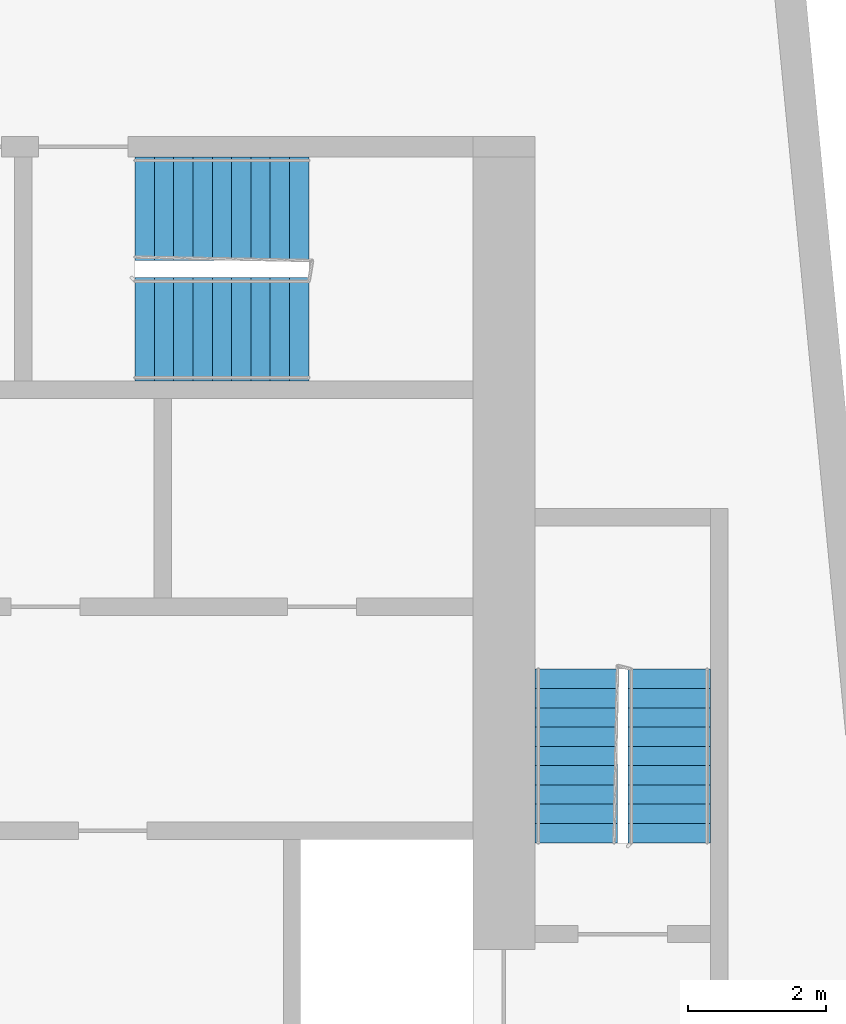
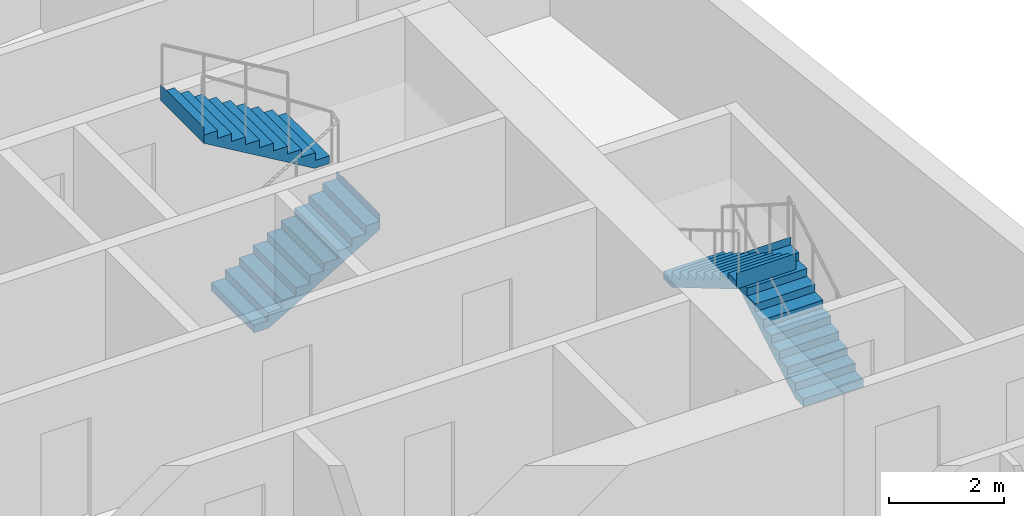
# One storey, part 10 of 11: 4 stair flights, 2 elements without a shape of their own.
"""IFC4 building model written with IfcOpenShell, lengths in metres."""

import ifcopenshell
import ifcopenshell.guid

model = None  # the IFC model being written
_history = None  # IfcOwnerHistory: only IFC2X3 demands one
_inside = {}  # id of a spatial element -> (the spatial element, [elements in it])
_under = {}  # id of a project, library or spatial element -> (it, [spatial elements below it])
_declared = {}  # id of a project -> (the project, [libraries it declares])
_typed = {}  # id of a type object -> (the type object, [elements of that type])
_made_of = {}  # id of a material, layer set ... -> (it, [elements and type objects made of it])


def new_model(schema):
    """Start an empty IFC model of exactly this schema.

    Asked for "IFC4X3", IfcOpenShell would pick the latest addendum, in which some entities
    have other attributes; the version numbers below select the first issue.
    IFC2X3 requires an IfcOwnerHistory on every rooted entity: one is made here for all.
    """
    global model, _history
    if schema == "IFC4X3":
        model = ifcopenshell.file(schema_version=(4, 3, 0, 0))
    else:
        model = ifcopenshell.file(schema=schema)
    _inside.clear()
    _under.clear()
    _declared.clear()
    _typed.clear()
    _made_of.clear()
    _history = None
    if model.schema == "IFC2X3":
        org = make("IfcOrganization", Name="unknown")
        user = make(
            "IfcPersonAndOrganization",
            ThePerson=make("IfcPerson", FamilyName="unknown"),
            TheOrganization=org,
        )
        app = make(
            "IfcApplication",
            ApplicationDeveloper=org,
            Version="unknown",
            ApplicationFullName="unknown",
            ApplicationIdentifier="unknown",
        )
        _history = make(
            "IfcOwnerHistory",
            OwningUser=user,
            OwningApplication=app,
            ChangeAction="ADDED",
            CreationDate=0,
        )
    return model


def make(cls, **values):
    """One entity of the class cls with the attributes given. An attribute that is None is left unset."""
    return model.create_entity(
        cls, **{name: value for name, value in values.items() if value is not None}
    )


def rooted(cls, **values):
    """An entity with a GlobalId (a new one), such as an element, a storey or a relation."""
    return make(cls, GlobalId=ifcopenshell.guid.new(), OwnerHistory=_history, **values)


def si_unit(unit_type, name, prefix=None):
    """IfcSIUnit, for example si_unit("LENGTHUNIT", "METRE", prefix="MILLI")."""
    return make("IfcSIUnit", UnitType=unit_type, Prefix=prefix, Name=name)


def assignment(units):
    """IfcUnitAssignment: the units of a project."""
    return None if units is None else make("IfcUnitAssignment", Units=units)


def point(xyz):
    """IfcCartesianPoint."""
    return None if xyz is None else make("IfcCartesianPoint", Coordinates=xyz)


def direction(xyz):
    """IfcDirection."""
    return None if xyz is None else make("IfcDirection", DirectionRatios=xyz)


def frame(location, z_axis=None, x_axis=None):
    """IfcAxis2Placement3D, a coordinate frame: its origin and axes. An axis left out is left unset."""
    return make(
        "IfcAxis2Placement3D",
        Location=point(location),
        Axis=direction(z_axis),
        RefDirection=direction(x_axis),
    )


def origin():
    """The frame at (0, 0, 0) with its axes left unset."""
    return frame((0.0, 0.0, 0.0))


def place(relative_to, where):
    """IfcLocalPlacement: puts the frame where relative to a parent placement (None: the world)."""
    return make(
        "IfcLocalPlacement", PlacementRelTo=relative_to, RelativePlacement=where
    )


def context(
    kind, dimensions, precision=None, world=None, true_north=None, identifier=None
):
    """IfcGeometricRepresentationContext, for example the 3D "Model" context."""
    return make(
        "IfcGeometricRepresentationContext",
        ContextIdentifier=identifier,
        ContextType=kind,
        CoordinateSpaceDimension=dimensions,
        Precision=precision,
        WorldCoordinateSystem=world,
        TrueNorth=true_north,
    )


def subcontext(parent, identifier, kind, view, scale=None):
    """IfcGeometricRepresentationSubContext, for example "Body" below "Model"."""
    return make(
        "IfcGeometricRepresentationSubContext",
        ContextIdentifier=identifier,
        ContextType=kind,
        ParentContext=parent,
        TargetScale=scale,
        TargetView=view,
    )


def project(units=None, contexts=None):
    """IfcProject with its units and contexts."""
    return rooted(
        "IfcProject",
        Name="project",
        RepresentationContexts=contexts,
        UnitsInContext=assignment(units),
    )


def spatial(cls, under=None, at=None, **own):
    """A site, building, storey or space (cls), placed at a placement, below another one or the project."""
    s = rooted(cls, ObjectPlacement=at, **own)
    if under is not None:
        _under.setdefault(under.id(), (under, []))[1].append(s)
    return s


def faces_of(points, faces, orient=None, outer=None):
    """IfcFace entities. A face is a list of loops; a loop is a list of indices into points, from 0.

    orient and outer hold one flag for each loop. By default every Orientation is true, the
    first loop of a face is its IfcFaceOuterBound and the others are IfcFaceBound.
    """
    made = []
    for i, loops in enumerate(faces):
        bounds = []
        for j, loop in enumerate(loops):
            is_outer = j == 0 if outer is None else outer[i][j]
            bounds.append(
                make(
                    "IfcFaceOuterBound" if is_outer else "IfcFaceBound",
                    Bound=make("IfcPolyLoop", Polygon=[points[k] for k in loop]),
                    Orientation=True if orient is None else orient[i][j],
                )
            )
        made.append(make("IfcFace", Bounds=bounds))
    return made


def faceted_brep(points, faces, orient=None, outer=None, voids=None):
    """IfcFacetedBrep: a solid bounded by flat faces; with voids (closed shells), ...WithVoids."""
    shared = [point(p) for p in points]
    hull = make("IfcClosedShell", CfsFaces=faces_of(shared, faces, orient, outer))
    if voids is None:
        return make("IfcFacetedBrep", Outer=hull)
    return make(
        "IfcFacetedBrepWithVoids",
        Outer=hull,
        Voids=[
            make(cls, CfsFaces=faces_of(shared, fs, o, b)) for cls, fs, o, b in voids
        ],
    )


def shape(context_of_items, identifier, shape_type, items):
    """IfcShapeRepresentation: the items that make up one representation, for example the "Body"."""
    return make(
        "IfcShapeRepresentation",
        ContextOfItems=context_of_items,
        RepresentationIdentifier=identifier,
        RepresentationType=shape_type,
        Items=items,
    )


def material(Name=None, Category=None):
    """IfcMaterial."""
    return make("IfcMaterial", Name=Name, Category=Category)


def made_of(thing, what):
    """Note that an element or type object is made of a material, layer set ...; save() writes the relation."""
    if what is not None:
        _made_of.setdefault(what.id(), (what, []))[1].append(thing)
    return thing


def type_object(cls, material=None, **own):
    """A type object (cls), such as IfcWallType, which elements share."""
    return made_of(rooted(cls, **own), material)


def element(
    cls,
    number,
    at=None,
    inside=None,
    cuts=None,
    type_object=None,
    material=None,
    context=None,
    identifier="Body",
    shape_type=None,
    held_by="IfcProductDefinitionShape",
    body=None,
    shapes=None,
    **own,
):
    """One element of the class cls, such as IfcWall. Its Tag is "e" and its number.

    at: its placement. inside: the storey or other place that contains it. cuts: it is an
    opening in that element (IfcRelVoidsElement). A single representation is given by context,
    identifier, shape_type and body (its items); several are given by shapes. held_by: the class
    of the entity that holds the representations. save() writes the other relations.
    """
    e = rooted(cls, Tag="e%d" % number, ObjectPlacement=at, **own)
    if body is not None:
        shapes = [shape(context, identifier, shape_type, body)]
    if shapes is not None:
        e.Representation = make(held_by, Representations=shapes)
    if inside is not None:
        _inside.setdefault(inside.id(), (inside, []))[1].append(e)
    if cuts is not None:
        rooted(
            "IfcRelVoidsElement", RelatingBuildingElement=cuts, RelatedOpeningElement=e
        )
    if type_object is not None:
        _typed.setdefault(type_object.id(), (type_object, []))[1].append(e)
    return made_of(e, material)


def aggregate(whole, parts):
    """IfcRelAggregates: a whole, such as a stair, and the parts it consists of."""
    return rooted("IfcRelAggregates", RelatingObject=whole, RelatedObjects=parts)


def save(model, path):
    """Write the relations noted so far, then the file.

    IfcRelAggregates (storeys below a building ...), IfcRelContainedInSpatialStructure (elements
    in a storey), IfcRelDefinesByType, IfcRelAssociatesMaterial and IfcRelDeclares: one each for
    every whole, place, type object, material and project.
    """
    for whole, parts in _under.values():
        aggregate(whole, parts)
    for where, things in _inside.values():
        rooted(
            "IfcRelContainedInSpatialStructure",
            RelatedElements=things,
            RelatingStructure=where,
        )
    for kind, things in _typed.values():
        rooted("IfcRelDefinesByType", RelatedObjects=things, RelatingType=kind)
    for what, things in _made_of.values():
        rooted("IfcRelAssociatesMaterial", RelatedObjects=things, RelatingMaterial=what)
    for by, libraries in _declared.values():
        rooted("IfcRelDeclares", RelatingContext=by, RelatedDefinitions=libraries)
    model.write(path)


model = new_model("IFC4")

# Units and contexts
model_context = context("Model", 3, precision=1e-05, world=origin(), true_north=direction((0.0, 1.0)))
body_context = subcontext(model_context, "Body", "Model", "MODEL_VIEW")
ifc_project = project(units=[si_unit("LENGTHUNIT", "METRE"), si_unit("AREAUNIT", "SQUARE_METRE"), si_unit("VOLUMEUNIT", "CUBIC_METRE"), si_unit("PLANEANGLEUNIT", "RADIAN"), si_unit("MASSUNIT", "GRAM", prefix="KILO")], contexts=[model_context])

# Site, building, storey
site_placement = place(None, origin())
site = spatial("IfcSite", under=ifc_project, at=site_placement, CompositionType="ELEMENT")
building_placement = place(site_placement, origin())
building = spatial("IfcBuilding", under=site, at=building_placement, Name="Kajstack Hotel Tower", CompositionType="ELEMENT")
storey_placement = place(building_placement, frame((0.0, 0.0, 281.699951171875)))
storey = spatial("IfcBuildingStorey", under=building, at=storey_placement, Name="L70", CompositionType="ELEMENT", Elevation=281.699951171875)

# Stair, stair flights
ifc_material = material(Name="Concrete C40/50", Category="concrete")
stair_type_1 = type_object("IfcStairType", Name="Exit stair 1200", PredefinedType="HALF_TURN_STAIR", material=ifc_material)
stair_1_placement = place(storey_placement, origin())
stair_1 = element("IfcStair", 1, at=stair_1_placement, inside=storey, type_object=stair_type_1, Name="L70 stair E1", PredefinedType="HALF_TURN_STAIR")
stair_flight_type_1 = type_object("IfcStairFlightType", Name="Exit stair flight 1200", PredefinedType="STRAIGHT", material=ifc_material)
stair_flight_1_placement = place(storey_placement, frame((33.449951171875, 5.25, 0.0), z_axis=(0.0, 0.0, 1.0), x_axis=(0.0, 1.0, 0.0)))
stair_flight_1 = element("IfcStairFlight", 2, at=stair_flight_1_placement, type_object=stair_flight_type_1, Name="E1 flight 1", NumberOfRisers=10, NumberOfTreads=9, PredefinedType="STRAIGHT", RiserHeight=0.165, TreadLength=0.28, context=body_context, shape_type="Brep", body=[
    faceted_brep([(0.295654296875, -0.60009765625, 0.0), (2.5205078125, -0.60009765625, 1.31103515625), (2.5205078125, -0.60009765625, 1.64990234375), (2.52001953125, -0.60009765625, 1.64990234375), (2.52001953125, -0.60009765625, 1.485107421875), (2.239990234375, -0.60009765625, 1.485107421875), (2.239990234375, -0.60009765625, 1.320068359375), (1.9599609375, -0.60009765625, 1.320068359375), (1.9599609375, -0.60009765625, 1.155029296875), (1.679931640625, -0.60009765625, 1.155029296875), (1.679931640625, -0.60009765625, 0.989990234375), (1.39990234375, -0.60009765625, 0.989990234375), (1.39990234375, -0.60009765625, 0.824951171875), (1.1201171875, -0.60009765625, 0.824951171875), (1.1201171875, -0.60009765625, 0.659912109375), (0.840087890625, -0.60009765625, 0.659912109375), (0.840087890625, -0.60009765625, 0.4951171875), (0.56005859375, -0.60009765625, 0.4951171875), (0.56005859375, -0.60009765625, 0.330078125), (0.280029296875, -0.60009765625, 0.330078125), (0.280029296875, -0.60009765625, 0.1650390625), (-0.00048828125, -0.60009765625, 0.1650390625), (-0.00048828125, -0.60009765625, 0.0), (-0.00048828125, 0.60009765625, 0.0), (-0.00048828125, 0.60009765625, 0.1650390625), (0.280029296875, 0.60009765625, 0.1650390625), (0.280029296875, 0.60009765625, 0.330078125), (0.56005859375, 0.60009765625, 0.330078125), (0.56005859375, 0.60009765625, 0.4951171875), (0.840087890625, 0.60009765625, 0.4951171875), (0.840087890625, 0.60009765625, 0.659912109375), (1.1201171875, 0.60009765625, 0.659912109375), (1.1201171875, 0.60009765625, 0.824951171875), (1.39990234375, 0.60009765625, 0.824951171875), (1.39990234375, 0.60009765625, 0.989990234375), (1.679931640625, 0.60009765625, 0.989990234375), (1.679931640625, 0.60009765625, 1.155029296875), (1.9599609375, 0.60009765625, 1.155029296875), (1.9599609375, 0.60009765625, 1.320068359375), (2.239990234375, 0.60009765625, 1.320068359375), (2.239990234375, 0.60009765625, 1.485107421875), (2.52001953125, 0.60009765625, 1.485107421875), (2.52001953125, 0.60009765625, 1.64990234375), (2.5205078125, 0.60009765625, 1.64990234375), (2.5205078125, 0.60009765625, 1.31103515625), (0.295654296875, 0.60009765625, 0.0), (-0.00048828125, -0.300048828125, 0.1650390625), (-0.00048828125, 0.0, 0.1650390625), (-0.00048828125, 0.300048828125, 0.1650390625), (-0.00048828125, 0.300048828125, 0.0), (-0.00048828125, 0.0, 0.0), (-0.00048828125, -0.300048828125, 0.0), (0.280029296875, -0.300048828125, 0.1650390625), (0.280029296875, 0.0, 0.1650390625), (0.280029296875, 0.300048828125, 0.1650390625), (0.280029296875, -0.300048828125, 0.330078125), (0.280029296875, 0.0, 0.330078125), (0.280029296875, 0.300048828125, 0.330078125), (0.56005859375, -0.300048828125, 0.330078125), (0.56005859375, 0.0, 0.330078125), (0.56005859375, 0.300048828125, 0.330078125), (0.56005859375, -0.300048828125, 0.4951171875), (0.56005859375, 0.0, 0.4951171875), (0.56005859375, 0.300048828125, 0.4951171875), (0.840087890625, -0.300048828125, 0.4951171875), (0.840087890625, 0.0, 0.4951171875), (0.840087890625, 0.300048828125, 0.4951171875), (0.840087890625, -0.300048828125, 0.659912109375), (0.840087890625, 0.0, 0.659912109375), (0.840087890625, 0.300048828125, 0.659912109375), (1.1201171875, -0.300048828125, 0.659912109375), (1.1201171875, 0.0, 0.659912109375), (1.1201171875, 0.300048828125, 0.659912109375), (1.1201171875, -0.300048828125, 0.824951171875), (1.1201171875, 0.0, 0.824951171875), (1.1201171875, 0.300048828125, 0.824951171875), (1.39990234375, -0.300048828125, 0.824951171875), (1.39990234375, 0.0, 0.824951171875), (1.39990234375, 0.300048828125, 0.824951171875), (1.39990234375, -0.300048828125, 0.989990234375), (1.39990234375, 0.0, 0.989990234375), (1.39990234375, 0.300048828125, 0.989990234375), (1.679931640625, -0.300048828125, 0.989990234375), (1.679931640625, 0.0, 0.989990234375), (1.679931640625, 0.300048828125, 0.989990234375), (1.679931640625, -0.300048828125, 1.155029296875), (1.679931640625, 0.0, 1.155029296875), (1.679931640625, 0.300048828125, 1.155029296875), (1.9599609375, -0.300048828125, 1.155029296875), (1.9599609375, 0.0, 1.155029296875), (1.9599609375, 0.300048828125, 1.155029296875), (1.9599609375, -0.300048828125, 1.320068359375), (1.9599609375, 0.0, 1.320068359375), (1.9599609375, 0.300048828125, 1.320068359375), (2.239990234375, -0.300048828125, 1.320068359375), (2.239990234375, 0.0, 1.320068359375), (2.239990234375, 0.300048828125, 1.320068359375), (2.239990234375, -0.300048828125, 1.485107421875), (2.239990234375, 0.0, 1.485107421875), (2.239990234375, 0.300048828125, 1.485107421875), (2.52001953125, -0.300048828125, 1.485107421875), (2.52001953125, 0.0, 1.485107421875), (2.52001953125, 0.300048828125, 1.485107421875), (2.52001953125, -0.300048828125, 1.64990234375), (2.52001953125, 0.0, 1.64990234375), (2.52001953125, 0.300048828125, 1.64990234375), (2.5205078125, -0.300048828125, 1.64990234375), (2.5205078125, 0.0, 1.64990234375), (2.5205078125, 0.300048828125, 1.64990234375), (2.5205078125, -0.300048828125, 1.31103515625), (2.5205078125, 0.0, 1.31103515625), (2.5205078125, 0.300048828125, 1.31103515625), (0.295654296875, -0.300048828125, 0.0), (0.295654296875, 0.0, 0.0), (0.295654296875, 0.300048828125, 0.0)], [[[0, 1, 2, 3, 4, 5, 6, 7, 8, 9, 10, 11, 12, 13, 14, 15, 16, 17, 18, 19, 20, 21, 22]], [[23, 24, 25, 26, 27, 28, 29, 30, 31, 32, 33, 34, 35, 36, 37, 38, 39, 40, 41, 42, 43, 44, 45]], [[21, 46, 47, 48, 24, 23, 49, 50, 51, 22]], [[20, 52, 53, 54, 25, 24, 48, 47, 46, 21]], [[19, 55, 56, 57, 26, 25, 54, 53, 52, 20]], [[18, 58, 59, 60, 27, 26, 57, 56, 55, 19]], [[17, 61, 62, 63, 28, 27, 60, 59, 58, 18]], [[16, 64, 65, 66, 29, 28, 63, 62, 61, 17]], [[15, 67, 68, 69, 30, 29, 66, 65, 64, 16]], [[14, 70, 71, 72, 31, 30, 69, 68, 67, 15]], [[13, 73, 74, 75, 32, 31, 72, 71, 70, 14]], [[12, 76, 77, 78, 33, 32, 75, 74, 73, 13]], [[11, 79, 80, 81, 34, 33, 78, 77, 76, 12]], [[10, 82, 83, 84, 35, 34, 81, 80, 79, 11]], [[9, 85, 86, 87, 36, 35, 84, 83, 82, 10]], [[8, 88, 89, 90, 37, 36, 87, 86, 85, 9]], [[7, 91, 92, 93, 38, 37, 90, 89, 88, 8]], [[6, 94, 95, 96, 39, 38, 93, 92, 91, 7]], [[5, 97, 98, 99, 40, 39, 96, 95, 94, 6]], [[4, 100, 101, 102, 41, 40, 99, 98, 97, 5]], [[3, 103, 104, 105, 42, 41, 102, 101, 100, 4]], [[2, 106, 107, 108, 43, 42, 105, 104, 103, 3]], [[1, 109, 110, 111, 44, 43, 108, 107, 106, 2]], [[0, 112, 113, 114, 45, 44, 111, 110, 109, 1]], [[22, 51, 50, 49, 23, 45, 114, 113, 112, 0]]]),
])
stair_flight_2_placement = place(storey_placement, frame((32.10009765625, 7.77001953125, 1.650146484375), z_axis=(0.0, 0.0, 1.0), x_axis=(0.0, -1.0, 0.0)))
stair_flight_2 = element("IfcStairFlight", 3, at=stair_flight_2_placement, type_object=stair_flight_type_1, Name="E1 flight 2", NumberOfRisers=10, NumberOfTreads=9, PredefinedType="STRAIGHT", RiserHeight=0.165, TreadLength=0.28, context=body_context, shape_type="Brep", body=[
    faceted_brep([(0.295654296875, -0.60009765625, 0.0), (2.5205078125, -0.60009765625, 1.31103515625), (2.5205078125, -0.60009765625, 1.64990234375), (2.52001953125, -0.60009765625, 1.64990234375), (2.52001953125, -0.60009765625, 1.485107421875), (2.239990234375, -0.60009765625, 1.485107421875), (2.239990234375, -0.60009765625, 1.320068359375), (1.9599609375, -0.60009765625, 1.320068359375), (1.9599609375, -0.60009765625, 1.155029296875), (1.679931640625, -0.60009765625, 1.155029296875), (1.679931640625, -0.60009765625, 0.989990234375), (1.39990234375, -0.60009765625, 0.989990234375), (1.39990234375, -0.60009765625, 0.824951171875), (1.1201171875, -0.60009765625, 0.824951171875), (1.1201171875, -0.60009765625, 0.659912109375), (0.840087890625, -0.60009765625, 0.659912109375), (0.840087890625, -0.60009765625, 0.4951171875), (0.56005859375, -0.60009765625, 0.4951171875), (0.56005859375, -0.60009765625, 0.330078125), (0.280029296875, -0.60009765625, 0.330078125), (0.280029296875, -0.60009765625, 0.1650390625), (-0.00048828125, -0.60009765625, 0.1650390625), (-0.00048828125, -0.60009765625, 0.0), (-0.00048828125, 0.60009765625, 0.0), (-0.00048828125, 0.60009765625, 0.1650390625), (0.280029296875, 0.60009765625, 0.1650390625), (0.280029296875, 0.60009765625, 0.330078125), (0.56005859375, 0.60009765625, 0.330078125), (0.56005859375, 0.60009765625, 0.4951171875), (0.840087890625, 0.60009765625, 0.4951171875), (0.840087890625, 0.60009765625, 0.659912109375), (1.1201171875, 0.60009765625, 0.659912109375), (1.1201171875, 0.60009765625, 0.824951171875), (1.39990234375, 0.60009765625, 0.824951171875), (1.39990234375, 0.60009765625, 0.989990234375), (1.679931640625, 0.60009765625, 0.989990234375), (1.679931640625, 0.60009765625, 1.155029296875), (1.9599609375, 0.60009765625, 1.155029296875), (1.9599609375, 0.60009765625, 1.320068359375), (2.239990234375, 0.60009765625, 1.320068359375), (2.239990234375, 0.60009765625, 1.485107421875), (2.52001953125, 0.60009765625, 1.485107421875), (2.52001953125, 0.60009765625, 1.64990234375), (2.5205078125, 0.60009765625, 1.64990234375), (2.5205078125, 0.60009765625, 1.31103515625), (0.295654296875, 0.60009765625, 0.0), (-0.00048828125, -0.300048828125, 0.1650390625), (-0.00048828125, 0.0, 0.1650390625), (-0.00048828125, 0.300048828125, 0.1650390625), (-0.00048828125, 0.300048828125, 0.0), (-0.00048828125, 0.0, 0.0), (-0.00048828125, -0.300048828125, 0.0), (0.280029296875, -0.300048828125, 0.1650390625), (0.280029296875, 0.0, 0.1650390625), (0.280029296875, 0.300048828125, 0.1650390625), (0.280029296875, -0.300048828125, 0.330078125), (0.280029296875, 0.0, 0.330078125), (0.280029296875, 0.300048828125, 0.330078125), (0.56005859375, -0.300048828125, 0.330078125), (0.56005859375, 0.0, 0.330078125), (0.56005859375, 0.300048828125, 0.330078125), (0.56005859375, -0.300048828125, 0.4951171875), (0.56005859375, 0.0, 0.4951171875), (0.56005859375, 0.300048828125, 0.4951171875), (0.840087890625, -0.300048828125, 0.4951171875), (0.840087890625, 0.0, 0.4951171875), (0.840087890625, 0.300048828125, 0.4951171875), (0.840087890625, -0.300048828125, 0.659912109375), (0.840087890625, 0.0, 0.659912109375), (0.840087890625, 0.300048828125, 0.659912109375), (1.1201171875, -0.300048828125, 0.659912109375), (1.1201171875, 0.0, 0.659912109375), (1.1201171875, 0.300048828125, 0.659912109375), (1.1201171875, -0.300048828125, 0.824951171875), (1.1201171875, 0.0, 0.824951171875), (1.1201171875, 0.300048828125, 0.824951171875), (1.39990234375, -0.300048828125, 0.824951171875), (1.39990234375, 0.0, 0.824951171875), (1.39990234375, 0.300048828125, 0.824951171875), (1.39990234375, -0.300048828125, 0.989990234375), (1.39990234375, 0.0, 0.989990234375), (1.39990234375, 0.300048828125, 0.989990234375), (1.679931640625, -0.300048828125, 0.989990234375), (1.679931640625, 0.0, 0.989990234375), (1.679931640625, 0.300048828125, 0.989990234375), (1.679931640625, -0.300048828125, 1.155029296875), (1.679931640625, 0.0, 1.155029296875), (1.679931640625, 0.300048828125, 1.155029296875), (1.9599609375, -0.300048828125, 1.155029296875), (1.9599609375, 0.0, 1.155029296875), (1.9599609375, 0.300048828125, 1.155029296875), (1.9599609375, -0.300048828125, 1.320068359375), (1.9599609375, 0.0, 1.320068359375), (1.9599609375, 0.300048828125, 1.320068359375), (2.239990234375, -0.300048828125, 1.320068359375), (2.239990234375, 0.0, 1.320068359375), (2.239990234375, 0.300048828125, 1.320068359375), (2.239990234375, -0.300048828125, 1.485107421875), (2.239990234375, 0.0, 1.485107421875), (2.239990234375, 0.300048828125, 1.485107421875), (2.52001953125, -0.300048828125, 1.485107421875), (2.52001953125, 0.0, 1.485107421875), (2.52001953125, 0.300048828125, 1.485107421875), (2.52001953125, -0.300048828125, 1.64990234375), (2.52001953125, 0.0, 1.64990234375), (2.52001953125, 0.300048828125, 1.64990234375), (2.5205078125, -0.300048828125, 1.64990234375), (2.5205078125, 0.0, 1.64990234375), (2.5205078125, 0.300048828125, 1.64990234375), (2.5205078125, -0.300048828125, 1.31103515625), (2.5205078125, 0.0, 1.31103515625), (2.5205078125, 0.300048828125, 1.31103515625), (0.295654296875, -0.300048828125, 0.0), (0.295654296875, 0.0, 0.0), (0.295654296875, 0.300048828125, 0.0)], [[[0, 1, 2, 3, 4, 5, 6, 7, 8, 9, 10, 11, 12, 13, 14, 15, 16, 17, 18, 19, 20, 21, 22]], [[23, 24, 25, 26, 27, 28, 29, 30, 31, 32, 33, 34, 35, 36, 37, 38, 39, 40, 41, 42, 43, 44, 45]], [[21, 46, 47, 48, 24, 23, 49, 50, 51, 22]], [[20, 52, 53, 54, 25, 24, 48, 47, 46, 21]], [[19, 55, 56, 57, 26, 25, 54, 53, 52, 20]], [[18, 58, 59, 60, 27, 26, 57, 56, 55, 19]], [[17, 61, 62, 63, 28, 27, 60, 59, 58, 18]], [[16, 64, 65, 66, 29, 28, 63, 62, 61, 17]], [[15, 67, 68, 69, 30, 29, 66, 65, 64, 16]], [[14, 70, 71, 72, 31, 30, 69, 68, 67, 15]], [[13, 73, 74, 75, 32, 31, 72, 71, 70, 14]], [[12, 76, 77, 78, 33, 32, 75, 74, 73, 13]], [[11, 79, 80, 81, 34, 33, 78, 77, 76, 12]], [[10, 82, 83, 84, 35, 34, 81, 80, 79, 11]], [[9, 85, 86, 87, 36, 35, 84, 83, 82, 10]], [[8, 88, 89, 90, 37, 36, 87, 86, 85, 9]], [[7, 91, 92, 93, 38, 37, 90, 89, 88, 8]], [[6, 94, 95, 96, 39, 38, 93, 92, 91, 7]], [[5, 97, 98, 99, 40, 39, 96, 95, 94, 6]], [[4, 100, 101, 102, 41, 40, 99, 98, 97, 5]], [[3, 103, 104, 105, 42, 41, 102, 101, 100, 4]], [[2, 106, 107, 108, 43, 42, 105, 104, 103, 3]], [[1, 109, 110, 111, 44, 43, 108, 107, 106, 2]], [[0, 112, 113, 114, 45, 44, 111, 110, 109, 1]], [[22, 51, 50, 49, 23, 45, 114, 113, 112, 0]]]),
])
aggregate(stair_1, [stair_flight_1, stair_flight_2])

stair_type_2 = type_object("IfcStairType", Name="Exit stair 1500", PredefinedType="HALF_TURN_STAIR", material=ifc_material)
stair_2_placement = place(storey_placement, origin())
stair_2 = element("IfcStair", 4, at=stair_2_placement, inside=storey, type_object=stair_type_2, Name="L70 stair E3", PredefinedType="HALF_TURN_STAIR")
stair_flight_type_2 = type_object("IfcStairFlightType", Name="Exit stair flight 1500", PredefinedType="STRAIGHT", material=ifc_material)
stair_flight_3_placement = place(storey_placement, frame((25.699951171875, 12.699951171875, 0.0), z_axis=(0.0, 0.0, 1.0), x_axis=(1.0, 0.0, 0.0)))
stair_flight_3 = element("IfcStairFlight", 5, at=stair_flight_3_placement, type_object=stair_flight_type_2, Name="E3 flight 1", NumberOfRisers=10, NumberOfTreads=9, PredefinedType="STRAIGHT", RiserHeight=0.165, TreadLength=0.28, context=body_context, shape_type="Brep", body=[
    faceted_brep([(0.295654296875, -0.75, 0.0), (2.5205078125, -0.75, 1.31103515625), (2.5205078125, -0.75, 1.64990234375), (2.52001953125, -0.75, 1.64990234375), (2.52001953125, -0.75, 1.485107421875), (2.239990234375, -0.75, 1.485107421875), (2.239990234375, -0.75, 1.320068359375), (1.9599609375, -0.75, 1.320068359375), (1.9599609375, -0.75, 1.155029296875), (1.679931640625, -0.75, 1.155029296875), (1.679931640625, -0.75, 0.989990234375), (1.39990234375, -0.75, 0.989990234375), (1.39990234375, -0.75, 0.824951171875), (1.1201171875, -0.75, 0.824951171875), (1.1201171875, -0.75, 0.659912109375), (0.840087890625, -0.75, 0.659912109375), (0.840087890625, -0.75, 0.4951171875), (0.56005859375, -0.75, 0.4951171875), (0.56005859375, -0.75, 0.330078125), (0.280029296875, -0.75, 0.330078125), (0.280029296875, -0.75, 0.1650390625), (-0.00048828125, -0.75, 0.1650390625), (-0.00048828125, -0.75, 0.0), (-0.00048828125, 0.75, 0.0), (-0.00048828125, 0.75, 0.1650390625), (0.280029296875, 0.75, 0.1650390625), (0.280029296875, 0.75, 0.330078125), (0.56005859375, 0.75, 0.330078125), (0.56005859375, 0.75, 0.4951171875), (0.840087890625, 0.75, 0.4951171875), (0.840087890625, 0.75, 0.659912109375), (1.1201171875, 0.75, 0.659912109375), (1.1201171875, 0.75, 0.824951171875), (1.39990234375, 0.75, 0.824951171875), (1.39990234375, 0.75, 0.989990234375), (1.679931640625, 0.75, 0.989990234375), (1.679931640625, 0.75, 1.155029296875), (1.9599609375, 0.75, 1.155029296875), (1.9599609375, 0.75, 1.320068359375), (2.239990234375, 0.75, 1.320068359375), (2.239990234375, 0.75, 1.485107421875), (2.52001953125, 0.75, 1.485107421875), (2.52001953125, 0.75, 1.64990234375), (2.5205078125, 0.75, 1.64990234375), (2.5205078125, 0.75, 1.31103515625), (0.295654296875, 0.75, 0.0), (-0.00048828125, -0.375, 0.1650390625), (-0.00048828125, 0.0, 0.1650390625), (-0.00048828125, 0.375, 0.1650390625), (-0.00048828125, 0.375, 0.0), (-0.00048828125, 0.0, 0.0), (-0.00048828125, -0.375, 0.0), (0.280029296875, -0.375, 0.1650390625), (0.280029296875, 0.0, 0.1650390625), (0.280029296875, 0.375, 0.1650390625), (0.280029296875, -0.375, 0.330078125), (0.280029296875, 0.0, 0.330078125), (0.280029296875, 0.375, 0.330078125), (0.56005859375, -0.375, 0.330078125), (0.56005859375, 0.0, 0.330078125), (0.56005859375, 0.375, 0.330078125), (0.56005859375, -0.375, 0.4951171875), (0.56005859375, 0.0, 0.4951171875), (0.56005859375, 0.375, 0.4951171875), (0.840087890625, -0.375, 0.4951171875), (0.840087890625, 0.0, 0.4951171875), (0.840087890625, 0.375, 0.4951171875), (0.840087890625, -0.375, 0.659912109375), (0.840087890625, 0.0, 0.659912109375), (0.840087890625, 0.375, 0.659912109375), (1.1201171875, -0.375, 0.659912109375), (1.1201171875, 0.0, 0.659912109375), (1.1201171875, 0.375, 0.659912109375), (1.1201171875, -0.375, 0.824951171875), (1.1201171875, 0.0, 0.824951171875), (1.1201171875, 0.375, 0.824951171875), (1.39990234375, -0.375, 0.824951171875), (1.39990234375, 0.0, 0.824951171875), (1.39990234375, 0.375, 0.824951171875), (1.39990234375, -0.375, 0.989990234375), (1.39990234375, 0.0, 0.989990234375), (1.39990234375, 0.375, 0.989990234375), (1.679931640625, -0.375, 0.989990234375), (1.679931640625, 0.0, 0.989990234375), (1.679931640625, 0.375, 0.989990234375), (1.679931640625, -0.375, 1.155029296875), (1.679931640625, 0.0, 1.155029296875), (1.679931640625, 0.375, 1.155029296875), (1.9599609375, -0.375, 1.155029296875), (1.9599609375, 0.0, 1.155029296875), (1.9599609375, 0.375, 1.155029296875), (1.9599609375, -0.375, 1.320068359375), (1.9599609375, 0.0, 1.320068359375), (1.9599609375, 0.375, 1.320068359375), (2.239990234375, -0.375, 1.320068359375), (2.239990234375, 0.0, 1.320068359375), (2.239990234375, 0.375, 1.320068359375), (2.239990234375, -0.375, 1.485107421875), (2.239990234375, 0.0, 1.485107421875), (2.239990234375, 0.375, 1.485107421875), (2.52001953125, -0.375, 1.485107421875), (2.52001953125, 0.0, 1.485107421875), (2.52001953125, 0.375, 1.485107421875), (2.52001953125, -0.375, 1.64990234375), (2.52001953125, 0.0, 1.64990234375), (2.52001953125, 0.375, 1.64990234375), (2.5205078125, -0.375, 1.64990234375), (2.5205078125, 0.0, 1.64990234375), (2.5205078125, 0.375, 1.64990234375), (2.5205078125, -0.375, 1.31103515625), (2.5205078125, 0.0, 1.31103515625), (2.5205078125, 0.375, 1.31103515625), (0.295654296875, -0.375, 0.0), (0.295654296875, 0.0, 0.0), (0.295654296875, 0.375, 0.0)], [[[0, 1, 2, 3, 4, 5, 6, 7, 8, 9, 10, 11, 12, 13, 14, 15, 16, 17, 18, 19, 20, 21, 22]], [[23, 24, 25, 26, 27, 28, 29, 30, 31, 32, 33, 34, 35, 36, 37, 38, 39, 40, 41, 42, 43, 44, 45]], [[21, 46, 47, 48, 24, 23, 49, 50, 51, 22]], [[20, 52, 53, 54, 25, 24, 48, 47, 46, 21]], [[19, 55, 56, 57, 26, 25, 54, 53, 52, 20]], [[18, 58, 59, 60, 27, 26, 57, 56, 55, 19]], [[17, 61, 62, 63, 28, 27, 60, 59, 58, 18]], [[16, 64, 65, 66, 29, 28, 63, 62, 61, 17]], [[15, 67, 68, 69, 30, 29, 66, 65, 64, 16]], [[14, 70, 71, 72, 31, 30, 69, 68, 67, 15]], [[13, 73, 74, 75, 32, 31, 72, 71, 70, 14]], [[12, 76, 77, 78, 33, 32, 75, 74, 73, 13]], [[11, 79, 80, 81, 34, 33, 78, 77, 76, 12]], [[10, 82, 83, 84, 35, 34, 81, 80, 79, 11]], [[9, 85, 86, 87, 36, 35, 84, 83, 82, 10]], [[8, 88, 89, 90, 37, 36, 87, 86, 85, 9]], [[7, 91, 92, 93, 38, 37, 90, 89, 88, 8]], [[6, 94, 95, 96, 39, 38, 93, 92, 91, 7]], [[5, 97, 98, 99, 40, 39, 96, 95, 94, 6]], [[4, 100, 101, 102, 41, 40, 99, 98, 97, 5]], [[3, 103, 104, 105, 42, 41, 102, 101, 100, 4]], [[2, 106, 107, 108, 43, 42, 105, 104, 103, 3]], [[1, 109, 110, 111, 44, 43, 108, 107, 106, 2]], [[0, 112, 113, 114, 45, 44, 111, 110, 109, 1]], [[22, 51, 50, 49, 23, 45, 114, 113, 112, 0]]]),
])
stair_flight_4_placement = place(storey_placement, frame((28.219970703125, 14.449951171875, 1.650146484375), z_axis=(0.0, 0.0, 1.0), x_axis=(-1.0, 0.0, 0.0)))
stair_flight_4 = element("IfcStairFlight", 6, at=stair_flight_4_placement, type_object=stair_flight_type_2, Name="E3 flight 2", NumberOfRisers=10, NumberOfTreads=9, PredefinedType="STRAIGHT", RiserHeight=0.165, TreadLength=0.28, context=body_context, shape_type="Brep", body=[
    faceted_brep([(0.295654296875, -0.75, 0.0), (2.5205078125, -0.75, 1.31103515625), (2.5205078125, -0.75, 1.64990234375), (2.52001953125, -0.75, 1.64990234375), (2.52001953125, -0.75, 1.485107421875), (2.239990234375, -0.75, 1.485107421875), (2.239990234375, -0.75, 1.320068359375), (1.9599609375, -0.75, 1.320068359375), (1.9599609375, -0.75, 1.155029296875), (1.679931640625, -0.75, 1.155029296875), (1.679931640625, -0.75, 0.989990234375), (1.39990234375, -0.75, 0.989990234375), (1.39990234375, -0.75, 0.824951171875), (1.1201171875, -0.75, 0.824951171875), (1.1201171875, -0.75, 0.659912109375), (0.840087890625, -0.75, 0.659912109375), (0.840087890625, -0.75, 0.4951171875), (0.56005859375, -0.75, 0.4951171875), (0.56005859375, -0.75, 0.330078125), (0.280029296875, -0.75, 0.330078125), (0.280029296875, -0.75, 0.1650390625), (-0.00048828125, -0.75, 0.1650390625), (-0.00048828125, -0.75, 0.0), (-0.00048828125, 0.75, 0.0), (-0.00048828125, 0.75, 0.1650390625), (0.280029296875, 0.75, 0.1650390625), (0.280029296875, 0.75, 0.330078125), (0.56005859375, 0.75, 0.330078125), (0.56005859375, 0.75, 0.4951171875), (0.840087890625, 0.75, 0.4951171875), (0.840087890625, 0.75, 0.659912109375), (1.1201171875, 0.75, 0.659912109375), (1.1201171875, 0.75, 0.824951171875), (1.39990234375, 0.75, 0.824951171875), (1.39990234375, 0.75, 0.989990234375), (1.679931640625, 0.75, 0.989990234375), (1.679931640625, 0.75, 1.155029296875), (1.9599609375, 0.75, 1.155029296875), (1.9599609375, 0.75, 1.320068359375), (2.239990234375, 0.75, 1.320068359375), (2.239990234375, 0.75, 1.485107421875), (2.52001953125, 0.75, 1.485107421875), (2.52001953125, 0.75, 1.64990234375), (2.5205078125, 0.75, 1.64990234375), (2.5205078125, 0.75, 1.31103515625), (0.295654296875, 0.75, 0.0), (-0.00048828125, -0.375, 0.1650390625), (-0.00048828125, 0.0, 0.1650390625), (-0.00048828125, 0.375, 0.1650390625), (-0.00048828125, 0.375, 0.0), (-0.00048828125, 0.0, 0.0), (-0.00048828125, -0.375, 0.0), (0.280029296875, -0.375, 0.1650390625), (0.280029296875, 0.0, 0.1650390625), (0.280029296875, 0.375, 0.1650390625), (0.280029296875, -0.375, 0.330078125), (0.280029296875, 0.0, 0.330078125), (0.280029296875, 0.375, 0.330078125), (0.56005859375, -0.375, 0.330078125), (0.56005859375, 0.0, 0.330078125), (0.56005859375, 0.375, 0.330078125), (0.56005859375, -0.375, 0.4951171875), (0.56005859375, 0.0, 0.4951171875), (0.56005859375, 0.375, 0.4951171875), (0.840087890625, -0.375, 0.4951171875), (0.840087890625, 0.0, 0.4951171875), (0.840087890625, 0.375, 0.4951171875), (0.840087890625, -0.375, 0.659912109375), (0.840087890625, 0.0, 0.659912109375), (0.840087890625, 0.375, 0.659912109375), (1.1201171875, -0.375, 0.659912109375), (1.1201171875, 0.0, 0.659912109375), (1.1201171875, 0.375, 0.659912109375), (1.1201171875, -0.375, 0.824951171875), (1.1201171875, 0.0, 0.824951171875), (1.1201171875, 0.375, 0.824951171875), (1.39990234375, -0.375, 0.824951171875), (1.39990234375, 0.0, 0.824951171875), (1.39990234375, 0.375, 0.824951171875), (1.39990234375, -0.375, 0.989990234375), (1.39990234375, 0.0, 0.989990234375), (1.39990234375, 0.375, 0.989990234375), (1.679931640625, -0.375, 0.989990234375), (1.679931640625, 0.0, 0.989990234375), (1.679931640625, 0.375, 0.989990234375), (1.679931640625, -0.375, 1.155029296875), (1.679931640625, 0.0, 1.155029296875), (1.679931640625, 0.375, 1.155029296875), (1.9599609375, -0.375, 1.155029296875), (1.9599609375, 0.0, 1.155029296875), (1.9599609375, 0.375, 1.155029296875), (1.9599609375, -0.375, 1.320068359375), (1.9599609375, 0.0, 1.320068359375), (1.9599609375, 0.375, 1.320068359375), (2.239990234375, -0.375, 1.320068359375), (2.239990234375, 0.0, 1.320068359375), (2.239990234375, 0.375, 1.320068359375), (2.239990234375, -0.375, 1.485107421875), (2.239990234375, 0.0, 1.485107421875), (2.239990234375, 0.375, 1.485107421875), (2.52001953125, -0.375, 1.485107421875), (2.52001953125, 0.0, 1.485107421875), (2.52001953125, 0.375, 1.485107421875), (2.52001953125, -0.375, 1.64990234375), (2.52001953125, 0.0, 1.64990234375), (2.52001953125, 0.375, 1.64990234375), (2.5205078125, -0.375, 1.64990234375), (2.5205078125, 0.0, 1.64990234375), (2.5205078125, 0.375, 1.64990234375), (2.5205078125, -0.375, 1.31103515625), (2.5205078125, 0.0, 1.31103515625), (2.5205078125, 0.375, 1.31103515625), (0.295654296875, -0.375, 0.0), (0.295654296875, 0.0, 0.0), (0.295654296875, 0.375, 0.0)], [[[0, 1, 2, 3, 4, 5, 6, 7, 8, 9, 10, 11, 12, 13, 14, 15, 16, 17, 18, 19, 20, 21, 22]], [[23, 24, 25, 26, 27, 28, 29, 30, 31, 32, 33, 34, 35, 36, 37, 38, 39, 40, 41, 42, 43, 44, 45]], [[21, 46, 47, 48, 24, 23, 49, 50, 51, 22]], [[20, 52, 53, 54, 25, 24, 48, 47, 46, 21]], [[19, 55, 56, 57, 26, 25, 54, 53, 52, 20]], [[18, 58, 59, 60, 27, 26, 57, 56, 55, 19]], [[17, 61, 62, 63, 28, 27, 60, 59, 58, 18]], [[16, 64, 65, 66, 29, 28, 63, 62, 61, 17]], [[15, 67, 68, 69, 30, 29, 66, 65, 64, 16]], [[14, 70, 71, 72, 31, 30, 69, 68, 67, 15]], [[13, 73, 74, 75, 32, 31, 72, 71, 70, 14]], [[12, 76, 77, 78, 33, 32, 75, 74, 73, 13]], [[11, 79, 80, 81, 34, 33, 78, 77, 76, 12]], [[10, 82, 83, 84, 35, 34, 81, 80, 79, 11]], [[9, 85, 86, 87, 36, 35, 84, 83, 82, 10]], [[8, 88, 89, 90, 37, 36, 87, 86, 85, 9]], [[7, 91, 92, 93, 38, 37, 90, 89, 88, 8]], [[6, 94, 95, 96, 39, 38, 93, 92, 91, 7]], [[5, 97, 98, 99, 40, 39, 96, 95, 94, 6]], [[4, 100, 101, 102, 41, 40, 99, 98, 97, 5]], [[3, 103, 104, 105, 42, 41, 102, 101, 100, 4]], [[2, 106, 107, 108, 43, 42, 105, 104, 103, 3]], [[1, 109, 110, 111, 44, 43, 108, 107, 106, 2]], [[0, 112, 113, 114, 45, 44, 111, 110, 109, 1]], [[22, 51, 50, 49, 23, 45, 114, 113, 112, 0]]]),
])
aggregate(stair_2, [stair_flight_3, stair_flight_4])

save(model, "model.ifc")
